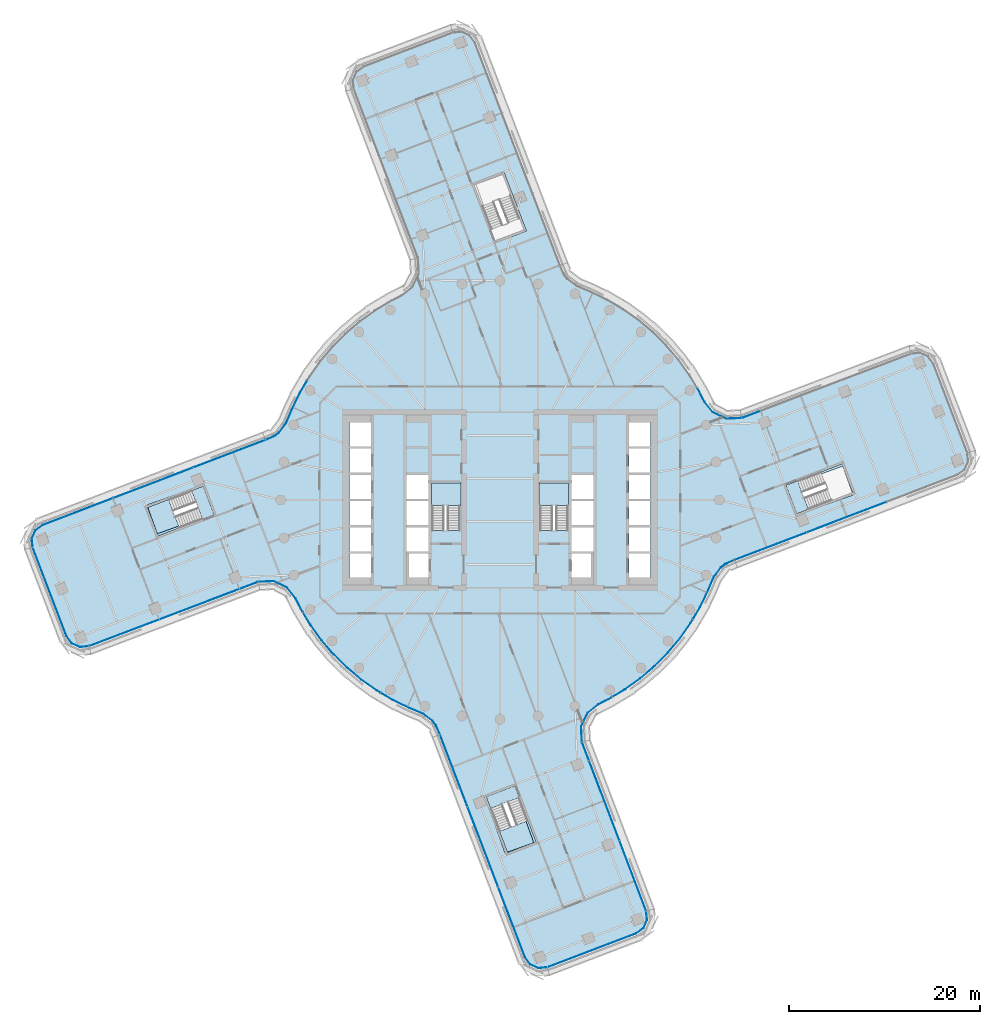
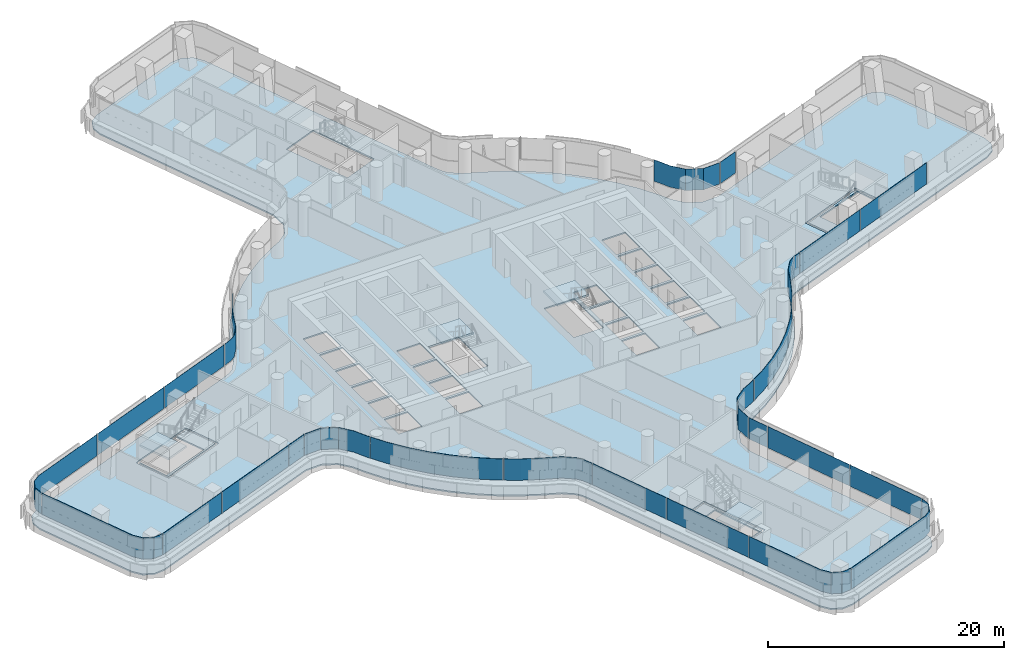
# One storey, part 18 of 32: 25 plates, 8 slabs, 16 elements without a shape of their own.
"""IFC4 building model written with IfcOpenShell, lengths in metres."""

from ifc_helpers import new_model, si_unit, direction, frame, origin, place, context, subcontext, project, spatial, polyline, outline, extrude, material, layer, layer_set, type_object, element, aggregate, save


model = new_model("IFC4")

# Units and contexts
model_context = context("Model", 3, precision=1e-05, world=origin(), true_north=direction((0.0, 1.0)))
body_context = subcontext(model_context, "Body", "Model", "MODEL_VIEW")
ifc_project = project(units=[si_unit("LENGTHUNIT", "METRE"), si_unit("AREAUNIT", "SQUARE_METRE"), si_unit("VOLUMEUNIT", "CUBIC_METRE"), si_unit("PLANEANGLEUNIT", "RADIAN"), si_unit("MASSUNIT", "GRAM", prefix="KILO")], contexts=[model_context])

# Site, building, storey
site_placement = place(None, origin())
site = spatial("IfcSite", under=ifc_project, at=site_placement, CompositionType="ELEMENT")
building_placement = place(site_placement, origin())
building = spatial("IfcBuilding", under=site, at=building_placement, Name="Tamarind Cross Interchange Tower", CompositionType="ELEMENT")
storey_placement = place(building_placement, frame((0.0, 0.0, 109.75)))
storey = spatial("IfcBuildingStorey", under=building, at=storey_placement, Name="L26", CompositionType="ELEMENT", Elevation=109.75)

# Slabs
ifc_material_1 = material(Name="Concrete C35", Category="concrete")
ifc_layer_1 = layer(ifc_material_1, 0.139892578125)
ifc_layer_set_1 = layer_set([ifc_layer_1], Name="Concrete C35")
slab_type_1 = type_object("IfcSlabType", Name="Composite slab 140 Concrete C35", PredefinedType="FLOOR", material=ifc_layer_set_1)
slab_1_placement = place(storey_placement, frame((0.0, 0.0, -0.139892578125)))
element("IfcSlab", 1, at=slab_1_placement, inside=storey, type_object=slab_type_1, Name="Floor slab L26", PredefinedType="FLOOR", context=body_context, shape_type="SweptSolid", body=[
    extrude(outline(polyline([(-23.743408203125, 6.881103515625), (-24.6572265625, 6.478271484375), (-48.03173828125, -2.445556640625), (-48.870361328125, -3.052490234375), (-49.293212890625, -3.99755859375), (-49.186767578125, -5.02734375), (-45.6201171875, -14.36962890625), (-45.012939453125, -15.20849609375), (-44.068115234375, -15.631103515625), (-43.0380859375, -15.52490234375), (-25.305419921875, -8.787109375), (-23.74169921875, -8.72021484375), (-22.44873046875, -9.3564453125), (-21.6083984375, -10.397705078125), (-21.054443359375, -11.511474609375), (-20.031982421875, -13.2109375), (-18.87255859375, -14.820068359375), (-17.584228515625, -16.327880859375), (-16.17578125, -17.72412109375), (-14.656982421875, -18.99951171875), (-13.0380859375, -20.14501953125), (-11.329833984375, -21.15283203125), (-9.54443359375, -22.01611328125), (-8.169189453125, -22.592529296875), (-7.202880859375, -23.3212890625), (-6.881103515625, -23.743408203125), (-6.478271484375, -24.6572265625), (2.445556640625, -48.03173828125), (3.052490234375, -48.870361328125), (3.99755859375, -49.293212890625), (5.02734375, -49.186767578125), (14.36962890625, -45.6201171875), (15.20849609375, -45.012939453125), (15.631103515625, -44.068115234375), (15.52490234375, -43.0380859375), (8.787109375, -25.305419921875), (8.72021484375, -23.74169921875), (9.3564453125, -22.44873046875), (10.397705078125, -21.6083984375), (11.511474609375, -21.054443359375), (13.2109375, -20.031982421875), (14.820068359375, -18.87255859375), (16.327880859375, -17.584228515625), (17.72412109375, -16.17578125), (18.99951171875, -14.656982421875), (20.14501953125, -13.0380859375), (21.15283203125, -11.329833984375), (22.01611328125, -9.54443359375), (22.592529296875, -8.169189453125), (23.3212890625, -7.202880859375), (23.743408203125, -6.881103515625), (24.6572265625, -6.478271484375), (48.03173828125, 2.445556640625), (48.870361328125, 3.052490234375), (49.293212890625, 3.99755859375), (49.186767578125, 5.02734375), (45.6201171875, 14.36962890625), (45.012939453125, 15.20849609375), (44.068115234375, 15.631103515625), (43.0380859375, 15.52490234375), (25.305419921875, 8.787109375), (23.74169921875, 8.72021484375), (22.44873046875, 9.3564453125), (21.6083984375, 10.397705078125), (21.054443359375, 11.511474609375), (20.031982421875, 13.2109375), (18.87255859375, 14.820068359375), (17.584228515625, 16.327880859375), (16.17578125, 17.72412109375), (14.656982421875, 18.99951171875), (13.0380859375, 20.14501953125), (11.329833984375, 21.15283203125), (9.54443359375, 22.01611328125), (8.169189453125, 22.592529296875), (7.202880859375, 23.3212890625), (6.881103515625, 23.743408203125), (6.478271484375, 24.6572265625), (-2.445556640625, 48.03173828125), (-3.052490234375, 48.870361328125), (-3.99755859375, 49.293212890625), (-5.02734375, 49.186767578125), (-14.36962890625, 45.6201171875), (-15.20849609375, 45.012939453125), (-15.631103515625, 44.068115234375), (-15.52490234375, 43.0380859375), (-8.787109375, 25.305419921875), (-8.72021484375, 23.74169921875), (-9.3564453125, 22.44873046875), (-10.397705078125, 21.6083984375), (-11.511474609375, 21.054443359375), (-13.2109375, 20.031982421875), (-14.820068359375, 18.87255859375), (-16.327880859375, 17.584228515625), (-17.72412109375, 16.17578125), (-18.99951171875, 14.656982421875), (-20.14501953125, 13.0380859375), (-21.15283203125, 11.329833984375), (-22.01611328125, 9.54443359375), (-22.592529296875, 8.169189453125), (-23.3212890625, 7.202880859375), (-23.743408203125, 6.881103515625)]), holes=[polyline([(-13.5, -8.125), (-15.800048828125, -8.125), (-15.800048828125, -5.625), (-13.5, -5.625), (-13.5, -8.125)]), polyline([(-7.5, -8.125), (-9.800048828125, -8.125), (-9.800048828125, -5.625), (-7.5, -5.625), (-7.5, -8.125)]), polyline([(-13.5, -5.375), (-15.800048828125, -5.375), (-15.800048828125, -2.875), (-13.5, -2.875), (-13.5, -5.375)]), polyline([(-29.715087890625, -1.660888671875), (-35.974365234375, -4.05078125), (-36.045654296875, -3.86376953125), (-37.18701171875, -0.874267578125), (-37.25830078125, -0.6875), (-36.991943359375, -0.585693359375), (-37.01220703125, -0.529296875), (-33.918212890625, 0.587890625), (-30.9990234375, 1.702392578125), (-30.927734375, 1.515380859375), (-29.786376953125, -1.47412109375), (-29.715087890625, -1.660888671875)]), polyline([(-13.5, -2.625), (-15.800048828125, -2.625), (-15.800048828125, -0.125), (-13.5, -0.125), (-13.5, -2.625)]), polyline([(-7.5, -2.625), (-9.800048828125, -2.625), (-9.800048828125, -0.125), (-7.5, -0.125), (-7.5, -2.625)]), polyline([(-13.5, 0.125), (-15.800048828125, 0.125), (-15.800048828125, 2.625), (-13.5, 2.625), (-13.5, 0.125)]), polyline([(-7.5, 0.125), (-9.800048828125, 0.125), (-9.800048828125, 2.625), (-7.5, 2.625), (-7.5, 0.125)]), polyline([(-13.5, 2.875), (-15.800048828125, 2.875), (-15.800048828125, 5.375), (-13.5, 5.375), (-13.5, 2.875)]), polyline([(-15.800048828125, 5.625), (-15.800048828125, 8.125), (-13.5, 8.125), (-13.5, 5.625), (-15.800048828125, 5.625)]), polyline([(-1.702392578125, -30.9990234375), (-1.515380859375, -30.927734375), (1.47412109375, -29.786376953125), (1.660888671875, -29.715087890625), (4.05078125, -35.974365234375), (3.86376953125, -36.045654296875), (0.874267578125, -37.18701171875), (0.6875, -37.25830078125), (0.585693359375, -36.991943359375), (0.529296875, -37.01220703125), (-0.587890625, -33.918212890625), (-1.702392578125, -30.9990234375)]), polyline([(-9.800048828125, -5.375), (-9.800048828125, -2.875), (-7.5, -2.875), (-7.5, -5.375), (-9.800048828125, -5.375)]), polyline([(-4.199951171875, -3.18798828125), (-7.14990234375, -3.18798828125), (-7.14990234375, 1.800048828125), (-4.199951171875, 1.800048828125), (-4.199951171875, -3.18798828125)]), polyline([(7.14990234375, 1.800048828125), (7.14990234375, -3.18798828125), (4.199951171875, -3.18798828125), (4.199951171875, 1.800048828125), (7.14990234375, 1.800048828125)]), polyline([(7.5, 2.625), (9.800048828125, 2.625), (9.800048828125, 0.125), (7.5, 0.125), (7.5, 2.625)]), polyline([(-2.980712890625, 33.171630859375), (-2.793701171875, 33.242919921875), (0.19580078125, 34.38427734375), (0.382568359375, 34.455810546875), (0.484619140625, 34.188720703125), (0.489501953125, 34.190673828125), (0.587890625, 33.918212890625), (2.772216796875, 28.1962890625), (2.58544921875, 28.125), (-0.404052734375, 26.983642578125), (-0.591064453125, 26.912353515625), (-2.980712890625, 33.171630859375)]), polyline([(7.5, -5.625), (9.800048828125, -5.625), (9.800048828125, -8.125), (7.5, -8.125), (7.5, -5.625)]), polyline([(15.800048828125, -5.625), (15.800048828125, -8.125), (13.5, -8.125), (13.5, -5.625), (15.800048828125, -5.625)]), polyline([(9.800048828125, -2.875), (9.800048828125, -5.375), (7.5, -5.375), (7.5, -2.875), (9.800048828125, -2.875)]), polyline([(13.5, -2.875), (15.800048828125, -2.875), (15.800048828125, -5.375), (13.5, -5.375), (13.5, -2.875)]), polyline([(7.5, -0.125), (9.800048828125, -0.125), (9.800048828125, -2.625), (7.5, -2.625), (7.5, -0.125)]), polyline([(13.5, -0.125), (15.800048828125, -0.125), (15.800048828125, -2.625), (13.5, -2.625), (13.5, -0.125)]), polyline([(30.9990234375, -1.702392578125), (30.927734375, -1.515380859375), (29.786376953125, 1.47412109375), (29.715087890625, 1.660888671875), (35.974365234375, 4.05078125), (36.045654296875, 3.86376953125), (37.18701171875, 0.874267578125), (37.25830078125, 0.6875), (36.991943359375, 0.585693359375), (37.01220703125, 0.529296875), (33.918212890625, -0.587890625), (30.9990234375, -1.702392578125)]), polyline([(15.800048828125, 2.625), (15.800048828125, 0.125), (13.5, 0.125), (13.5, 2.625), (15.800048828125, 2.625)]), polyline([(15.800048828125, 5.375), (15.800048828125, 2.875), (13.5, 2.875), (13.5, 5.375), (15.800048828125, 5.375)]), polyline([(15.800048828125, 8.125), (15.800048828125, 5.625), (13.5, 5.625), (13.5, 8.125), (15.800048828125, 8.125)])]), origin(), (0.0, 0.0, 1.0), 0.139892578125),
])
slab_2_placement = place(storey_placement, frame((0.0, 0.0, -0.139892578125)))
element("IfcSlab", 2, at=slab_2_placement, inside=storey, type_object=slab_type_1, Name="Floor slab L26", PredefinedType="FLOOR", context=body_context, shape_type="SweptSolid", body=[
    extrude(outline(polyline([(-37.000244140625, -0.802978515625), (-35.85888671875, -3.79248046875), (-29.97314453125, -1.54541015625), (-31.114501953125, 1.444091796875), (-32.26318359375, 1.005615234375), (-32.340087890625, 0.97607421875), (-31.259521484375, -1.8544921875), (-35.92578125, -3.539306640625), (-36.924072265625, -0.77392578125), (-37.000244140625, -0.802978515625)])), origin(), (0.0, 0.0, 1.0), 0.139892578125),
])
slab_3_placement = place(storey_placement, frame((0.0, 0.0, -0.139892578125)))
element("IfcSlab", 3, at=slab_3_placement, inside=storey, type_object=slab_type_1, Name="Floor slab L26", PredefinedType="FLOOR", context=body_context, shape_type="SweptSolid", body=[
    extrude(outline(polyline([(0.802978515625, -37.000244140625), (3.79248046875, -35.85888671875), (1.54541015625, -29.97314453125), (-1.444091796875, -31.114501953125), (-1.005615234375, -32.26318359375), (-0.97607421875, -32.340087890625), (1.8544921875, -31.259521484375), (3.539306640625, -35.92578125), (0.77392578125, -36.924072265625), (0.802978515625, -37.000244140625)])), origin(), (0.0, 0.0, 1.0), 0.139892578125),
])
slab_4_placement = place(storey_placement, frame((0.0, 0.0, -0.139892578125)))
element("IfcSlab", 4, at=slab_4_placement, inside=storey, type_object=slab_type_1, Name="Floor slab L26", PredefinedType="FLOOR", context=body_context, shape_type="SweptSolid", body=[
    extrude(outline(polyline([(37.000244140625, 0.802978515625), (35.85888671875, 3.79248046875), (29.97314453125, 1.54541015625), (31.114501953125, -1.444091796875), (32.26318359375, -1.005615234375), (32.340087890625, -0.97607421875), (31.259521484375, 1.8544921875), (35.92578125, 3.539306640625), (36.924072265625, 0.77392578125), (37.000244140625, 0.802978515625)])), origin(), (0.0, 0.0, 1.0), 0.139892578125),
])

# Stair, slab
ifc_material_2 = material(Name="Exit stair")
stair_type = type_object("IfcStairType", Name="Exit stair", PredefinedType="HALF_TURN_STAIR", material=ifc_material_2)
stair_1_placement = place(storey_placement, origin())
stair_1 = element("IfcStair", 5, at=stair_1_placement, inside=storey, type_object=stair_type, Name="L26 exit stair ST1", PredefinedType="HALF_TURN_STAIR")
ifc_material_3 = material(Name="Concrete C40", Category="concrete")
ifc_layer_2 = layer(ifc_material_3, 0.199951171875)
ifc_layer_set_2 = layer_set([ifc_layer_2], Name="Concrete C40")
slab_type_2 = type_object("IfcSlabType", Name="Stair landing", PredefinedType="LANDING", material=ifc_layer_set_2)
slab_5_placement = place(storey_placement, frame((0.0, 0.0, 1.675048828125)))
slab_5 = element("IfcSlab", 6, at=slab_5_placement, type_object=slab_type_2, Name="ST1 landing 1", PredefinedType="LANDING", context=body_context, shape_type="SweptSolid", body=[
    extrude(outline(polyline([(-4.10009765625, -0.60009765625), (-4.10009765625, 1.800048828125), (-7.199951171875, 1.800048828125), (-7.199951171875, -0.60009765625), (-4.10009765625, -0.60009765625)])), origin(), (0.0, 0.0, 1.0), 0.199951171875),
])
aggregate(stair_1, [slab_5])

stair_2_placement = place(storey_placement, origin())
stair_2 = element("IfcStair", 7, at=stair_2_placement, inside=storey, type_object=stair_type, Name="L26 exit stair ST2", PredefinedType="HALF_TURN_STAIR")
slab_6_placement = place(storey_placement, frame((0.0, 0.0, 1.675048828125)))
slab_6 = element("IfcSlab", 8, at=slab_6_placement, type_object=slab_type_2, Name="ST2 landing 1", PredefinedType="LANDING", context=body_context, shape_type="SweptSolid", body=[
    extrude(outline(polyline([(7.199951171875, -0.60009765625), (7.199951171875, 1.800048828125), (4.10009765625, 1.800048828125), (4.10009765625, -0.60009765625), (7.199951171875, -0.60009765625)])), origin(), (0.0, 0.0, 1.0), 0.199951171875),
])
aggregate(stair_2, [slab_6])

stair_3_placement = place(storey_placement, origin())
stair_3 = element("IfcStair", 9, at=stair_3_placement, inside=storey, type_object=stair_type, Name="L26 exit stair ST5", PredefinedType="HALF_TURN_STAIR")
slab_7_placement = place(storey_placement, frame((0.0, 0.0, 1.675048828125)))
slab_7 = element("IfcSlab", 10, at=slab_7_placement, type_object=slab_type_2, Name="ST5 landing 1", PredefinedType="LANDING", context=body_context, shape_type="SweptSolid", body=[
    extrude(outline(polyline([(-34.746826171875, 0.057373046875), (-37.000244140625, -0.802978515625), (-35.85888671875, -3.79248046875), (-33.60546875, -2.93212890625), (-34.746826171875, 0.057373046875)])), origin(), (0.0, 0.0, 1.0), 0.199951171875),
])
aggregate(stair_3, [slab_7])

stair_4_placement = place(storey_placement, origin())
stair_4 = element("IfcStair", 11, at=stair_4_placement, inside=storey, type_object=stair_type, Name="L26 exit stair ST6", PredefinedType="HALF_TURN_STAIR")
slab_8_placement = place(storey_placement, frame((0.0, 0.0, 1.675048828125)))
slab_8 = element("IfcSlab", 12, at=slab_8_placement, type_object=slab_type_2, Name="ST6 landing 1", PredefinedType="LANDING", context=body_context, shape_type="SweptSolid", body=[
    extrude(outline(polyline([(-0.057373046875, -34.746826171875), (0.802978515625, -37.000244140625), (3.79248046875, -35.85888671875), (2.93212890625, -33.60546875), (-0.057373046875, -34.746826171875)])), origin(), (0.0, 0.0, 1.0), 0.199951171875),
])
aggregate(stair_4, [slab_8])

# Curtain wall, plate
ifc_material_4 = material(Name="Aluminium 6063-T6", Category="aluminium")
ifc_layer_3 = layer(ifc_material_4, 0.159912109375)
ifc_layer_set_3 = layer_set([ifc_layer_3], Name="Aluminium 6063-T6")
curtain_wall_type = type_object("IfcCurtainWallType", Name="Office curtain wall, 9.0 m bays", PredefinedType="NOTDEFINED", material=ifc_layer_set_3)
curtain_wall_1_placement = place(storey_placement, origin())
curtain_wall_1 = element("IfcCurtainWall", 13, at=curtain_wall_1_placement, inside=storey, type_object=curtain_wall_type, Name="CWS-L26-00", PredefinedType="NOTDEFINED")
ifc_material_5 = material(Name="Laminated low-e glass 8+1.52+8", Category="glass")
ifc_layer_4 = layer(ifc_material_5, 0.028076171875)
ifc_layer_set_4 = layer_set([ifc_layer_4], Name="Laminated low-e glass 8+1.52+8")
plate_type = type_object("IfcPlateType", Name="Vision panel CW1", PredefinedType="CURTAIN_PANEL", material=ifc_layer_set_4)
plate_1_placement = place(storey_placement, frame((0.0, 0.0, 1.39990234375)))
plate_1 = element("IfcPlate", 14, at=plate_1_placement, type_object=plate_type, Name="CWP-L26-00-00", PredefinedType="CURTAIN_PANEL", context=body_context, shape_type="SweptSolid", body=[
    extrude(outline(polyline([(-48.966796875, -5.003662109375), (-45.43017578125, -14.26708984375), (-44.873291015625, -15.036376953125), (-44.032958984375, -15.412353515625), (-43.115966796875, -15.317626953125), (-43.11328125, -15.345703125), (-44.03759765625, -15.441162109375), (-44.8916015625, -15.05908203125), (-45.455078125, -14.280517578125), (-48.992919921875, -5.013671875), (-48.966796875, -5.003662109375)])), origin(), (0.0, 0.0, 1.0), 2.210205078125),
])
aggregate(curtain_wall_1, [plate_1])

# Curtain wall, plates
curtain_wall_2_placement = place(storey_placement, origin())
curtain_wall_2 = element("IfcCurtainWall", 15, at=curtain_wall_2_placement, inside=storey, type_object=curtain_wall_type, Name="CWS-L26-01", PredefinedType="NOTDEFINED")
plate_2_placement = place(storey_placement, frame((0.0, 0.0, 1.39990234375)))
plate_2 = element("IfcPlate", 16, at=plate_2_placement, type_object=plate_type, Name="CWP-L26-01-00", PredefinedType="CURTAIN_PANEL", context=body_context, shape_type="SweptSolid", body=[
    extrude(outline(polyline([(-43.061767578125, -15.304931640625), (-35.73828125, -12.522216796875), (-35.728271484375, -12.54833984375), (-43.0517578125, -15.3310546875), (-43.061767578125, -15.304931640625)])), origin(), (0.0, 0.0, 1.0), 2.210205078125),
])
plate_3_placement = place(storey_placement, frame((0.0, 0.0, 1.39990234375)))
plate_3 = element("IfcPlate", 17, at=plate_3_placement, type_object=plate_type, Name="CWP-L26-01-01", PredefinedType="CURTAIN_PANEL", context=body_context, shape_type="SweptSolid", body=[
    extrude(outline(polyline([(-35.68212890625, -12.5009765625), (-27.322265625, -9.324462890625), (-27.3125, -9.3505859375), (-35.672119140625, -12.527099609375), (-35.68212890625, -12.5009765625)])), origin(), (0.0, 0.0, 1.0), 2.210205078125),
])
plate_4_placement = place(storey_placement, frame((0.0, 0.0, 1.39990234375)))
plate_4 = element("IfcPlate", 18, at=plate_4_placement, type_object=plate_type, Name="CWP-L26-01-02", PredefinedType="CURTAIN_PANEL", context=body_context, shape_type="SweptSolid", body=[
    extrude(outline(polyline([(-27.266357421875, -9.30322265625), (-25.379150390625, -8.586181640625), (-25.369140625, -8.6123046875), (-27.25634765625, -9.329345703125), (-27.266357421875, -9.30322265625)])), origin(), (0.0, 0.0, 1.0), 2.210205078125),
])
aggregate(curtain_wall_2, [plate_2, plate_3, plate_4])

curtain_wall_3_placement = place(storey_placement, origin())
curtain_wall_3 = element("IfcCurtainWall", 19, at=curtain_wall_3_placement, inside=storey, type_object=curtain_wall_type, Name="CWS-L26-02", PredefinedType="NOTDEFINED")
plate_5_placement = place(storey_placement, frame((0.0, 0.0, 1.39990234375)))
plate_5 = element("IfcPlate", 20, at=plate_5_placement, type_object=plate_type, Name="CWP-L26-02-00", PredefinedType="CURTAIN_PANEL", context=body_context, shape_type="SweptSolid", body=[
    extrude(outline(polyline([(-25.316650390625, -8.5732421875), (-23.696044921875, -8.50390625), (-22.311767578125, -9.185302734375), (-21.42724609375, -10.281494140625), (-20.86669921875, -11.408447265625), (-20.676025390625, -11.7255859375), (-20.699951171875, -11.739990234375), (-20.891357421875, -11.422119140625), (-21.450927734375, -10.296630859375), (-22.32958984375, -9.207763671875), (-23.7021484375, -8.5322265625), (-25.3154296875, -8.601318359375), (-25.316650390625, -8.5732421875)])), origin(), (0.0, 0.0, 1.0), 2.210205078125),
])
plate_6_placement = place(storey_placement, frame((0.0, 0.0, 1.39990234375)))
plate_6 = element("IfcPlate", 21, at=plate_6_placement, type_object=plate_type, Name="CWP-L26-02-01", PredefinedType="CURTAIN_PANEL", context=body_context, shape_type="SweptSolid", body=[
    extrude(outline(polyline([(-20.64501953125, -11.77685546875), (-19.85302734375, -13.093017578125), (-18.7041015625, -14.687744140625), (-17.42724609375, -16.18212890625), (-16.031494140625, -17.56591796875), (-14.526123046875, -18.829833984375), (-12.921630859375, -19.965087890625), (-12.518310546875, -20.203125), (-12.532470703125, -20.227294921875), (-12.936767578125, -19.988525390625), (-14.543212890625, -18.85205078125), (-16.05029296875, -17.586669921875), (-17.44775390625, -16.201171875), (-18.72607421875, -14.705078125), (-19.87646484375, -13.1083984375), (-20.6689453125, -11.791259765625), (-20.64501953125, -11.77685546875)])), origin(), (0.0, 0.0, 1.0), 2.210205078125),
])
plate_7_placement = place(storey_placement, frame((0.0, 0.0, 1.39990234375)))
plate_7 = element("IfcPlate", 22, at=plate_7_placement, type_object=plate_type, Name="CWP-L26-02-02", PredefinedType="CURTAIN_PANEL", context=body_context, shape_type="SweptSolid", body=[
    extrude(outline(polyline([(-12.466552734375, -20.233642578125), (-11.228759765625, -20.9638671875), (-9.456298828125, -21.821044921875), (-8.061767578125, -22.405517578125), (-7.05029296875, -23.168212890625), (-6.695556640625, -23.634033203125), (-6.29248046875, -24.548095703125), (-6.318115234375, -24.559326171875), (-6.7197265625, -23.6484375), (-7.0703125, -23.188232421875), (-8.075927734375, -22.429931640625), (-9.468017578125, -21.846435546875), (-11.241943359375, -20.98876953125), (-12.480712890625, -20.2578125), (-12.466552734375, -20.233642578125)])), origin(), (0.0, 0.0, 1.0), 2.210205078125),
])
aggregate(curtain_wall_3, [plate_5, plate_6, plate_7])

curtain_wall_4_placement = place(storey_placement, origin())
curtain_wall_4 = element("IfcCurtainWall", 23, at=curtain_wall_4_placement, inside=storey, type_object=curtain_wall_type, Name="CWS-L26-03", PredefinedType="NOTDEFINED")
plate_8_placement = place(storey_placement, frame((0.0, 0.0, 1.39990234375)))
plate_8 = element("IfcPlate", 24, at=plate_8_placement, type_object=plate_type, Name="CWP-L26-03-00", PredefinedType="CURTAIN_PANEL", context=body_context, shape_type="SweptSolid", body=[
    extrude(outline(polyline([(-6.26953125, -24.604248046875), (-3.394287109375, -32.13525390625), (-3.42041015625, -32.145263671875), (-6.295654296875, -24.6142578125), (-6.26953125, -24.604248046875)])), origin(), (0.0, 0.0, 1.0), 2.210205078125),
])
plate_9_placement = place(storey_placement, frame((0.0, 0.0, 1.39990234375)))
plate_9 = element("IfcPlate", 25, at=plate_9_placement, type_object=plate_type, Name="CWP-L26-03-01", PredefinedType="CURTAIN_PANEL", context=body_context, shape_type="SweptSolid", body=[
    extrude(outline(polyline([(-3.372802734375, -32.19140625), (-0.18701171875, -40.5361328125), (-0.213134765625, -40.546142578125), (-3.39892578125, -32.201416015625), (-3.372802734375, -32.19140625)])), origin(), (0.0, 0.0, 1.0), 2.210205078125),
])
plate_10_placement = place(storey_placement, frame((0.0, 0.0, 1.39990234375)))
plate_10 = element("IfcPlate", 26, at=plate_10_placement, type_object=plate_type, Name="CWP-L26-03-02", PredefinedType="CURTAIN_PANEL", context=body_context, shape_type="SweptSolid", body=[
    extrude(outline(polyline([(-0.16552734375, -40.59228515625), (2.635498046875, -47.928955078125), (3.1923828125, -48.698486328125), (4.03271484375, -49.074462890625), (4.949462890625, -48.979736328125), (4.952392578125, -49.007568359375), (4.028076171875, -49.10302734375), (3.174072265625, -48.720947265625), (2.610595703125, -47.9423828125), (-0.191650390625, -40.602294921875), (-0.16552734375, -40.59228515625)])), origin(), (0.0, 0.0, 1.0), 2.210205078125),
])
aggregate(curtain_wall_4, [plate_8, plate_9, plate_10])

# Curtain wall, plate
curtain_wall_5_placement = place(storey_placement, origin())
curtain_wall_5 = element("IfcCurtainWall", 27, at=curtain_wall_5_placement, inside=storey, type_object=curtain_wall_type, Name="CWS-L26-04", PredefinedType="NOTDEFINED")
plate_11_placement = place(storey_placement, frame((0.0, 0.0, 1.39990234375)))
plate_11 = element("IfcPlate", 28, at=plate_11_placement, type_object=plate_type, Name="CWP-L26-04-00", PredefinedType="CURTAIN_PANEL", context=body_context, shape_type="SweptSolid", body=[
    extrude(outline(polyline([(5.003662109375, -48.966796875), (14.26708984375, -45.43017578125), (15.036376953125, -44.873291015625), (15.412353515625, -44.032958984375), (15.317626953125, -43.115966796875), (15.345703125, -43.11328125), (15.441162109375, -44.03759765625), (15.05908203125, -44.8916015625), (14.280517578125, -45.455078125), (5.013671875, -48.992919921875), (5.003662109375, -48.966796875)])), origin(), (0.0, 0.0, 1.0), 2.210205078125),
])
aggregate(curtain_wall_5, [plate_11])

# Curtain wall, plates
curtain_wall_6_placement = place(storey_placement, origin())
curtain_wall_6 = element("IfcCurtainWall", 29, at=curtain_wall_6_placement, inside=storey, type_object=curtain_wall_type, Name="CWS-L26-05", PredefinedType="NOTDEFINED")
plate_12_placement = place(storey_placement, frame((0.0, 0.0, 1.39990234375)))
plate_12 = element("IfcPlate", 30, at=plate_12_placement, type_object=plate_type, Name="CWP-L26-05-00", PredefinedType="CURTAIN_PANEL", context=body_context, shape_type="SweptSolid", body=[
    extrude(outline(polyline([(15.304931640625, -43.061767578125), (12.522216796875, -35.73828125), (12.54833984375, -35.728271484375), (15.3310546875, -43.0517578125), (15.304931640625, -43.061767578125)])), origin(), (0.0, 0.0, 1.0), 2.210205078125),
])
plate_13_placement = place(storey_placement, frame((0.0, 0.0, 1.39990234375)))
plate_13 = element("IfcPlate", 31, at=plate_13_placement, type_object=plate_type, Name="CWP-L26-05-01", PredefinedType="CURTAIN_PANEL", context=body_context, shape_type="SweptSolid", body=[
    extrude(outline(polyline([(12.5009765625, -35.68212890625), (9.324462890625, -27.322265625), (9.3505859375, -27.3125), (12.527099609375, -35.672119140625), (12.5009765625, -35.68212890625)])), origin(), (0.0, 0.0, 1.0), 2.210205078125),
])
plate_14_placement = place(storey_placement, frame((0.0, 0.0, 1.39990234375)))
plate_14 = element("IfcPlate", 32, at=plate_14_placement, type_object=plate_type, Name="CWP-L26-05-02", PredefinedType="CURTAIN_PANEL", context=body_context, shape_type="SweptSolid", body=[
    extrude(outline(polyline([(9.30322265625, -27.266357421875), (8.586181640625, -25.379150390625), (8.6123046875, -25.369140625), (9.329345703125, -27.25634765625), (9.30322265625, -27.266357421875)])), origin(), (0.0, 0.0, 1.0), 2.210205078125),
])
aggregate(curtain_wall_6, [plate_12, plate_13, plate_14])

curtain_wall_7_placement = place(storey_placement, origin())
curtain_wall_7 = element("IfcCurtainWall", 33, at=curtain_wall_7_placement, inside=storey, type_object=curtain_wall_type, Name="CWS-L26-06", PredefinedType="NOTDEFINED")
plate_15_placement = place(storey_placement, frame((0.0, 0.0, 1.39990234375)))
plate_15 = element("IfcPlate", 34, at=plate_15_placement, type_object=plate_type, Name="CWP-L26-06-00", PredefinedType="CURTAIN_PANEL", context=body_context, shape_type="SweptSolid", body=[
    extrude(outline(polyline([(8.5732421875, -25.316650390625), (8.50390625, -23.696044921875), (9.185302734375, -22.311767578125), (10.281494140625, -21.42724609375), (11.408447265625, -20.86669921875), (11.7255859375, -20.676025390625), (11.739990234375, -20.699951171875), (11.422119140625, -20.891357421875), (10.296630859375, -21.450927734375), (9.207763671875, -22.32958984375), (8.5322265625, -23.7021484375), (8.601318359375, -25.3154296875), (8.5732421875, -25.316650390625)])), origin(), (0.0, 0.0, 1.0), 2.210205078125),
])
plate_16_placement = place(storey_placement, frame((0.0, 0.0, 1.39990234375)))
plate_16 = element("IfcPlate", 35, at=plate_16_placement, type_object=plate_type, Name="CWP-L26-06-01", PredefinedType="CURTAIN_PANEL", context=body_context, shape_type="SweptSolid", body=[
    extrude(outline(polyline([(11.77685546875, -20.64501953125), (13.093017578125, -19.85302734375), (14.687744140625, -18.7041015625), (16.18212890625, -17.42724609375), (17.56591796875, -16.031494140625), (18.829833984375, -14.526123046875), (19.965087890625, -12.921630859375), (20.203125, -12.518310546875), (20.227294921875, -12.532470703125), (19.988525390625, -12.936767578125), (18.85205078125, -14.543212890625), (17.586669921875, -16.05029296875), (16.201171875, -17.44775390625), (14.705078125, -18.72607421875), (13.1083984375, -19.87646484375), (11.791259765625, -20.6689453125), (11.77685546875, -20.64501953125)])), origin(), (0.0, 0.0, 1.0), 2.210205078125),
])
plate_17_placement = place(storey_placement, frame((0.0, 0.0, 1.39990234375)))
plate_17 = element("IfcPlate", 36, at=plate_17_placement, type_object=plate_type, Name="CWP-L26-06-02", PredefinedType="CURTAIN_PANEL", context=body_context, shape_type="SweptSolid", body=[
    extrude(outline(polyline([(20.233642578125, -12.466552734375), (20.9638671875, -11.228759765625), (21.821044921875, -9.456298828125), (22.405517578125, -8.061767578125), (23.168212890625, -7.05029296875), (23.634033203125, -6.695556640625), (24.548095703125, -6.29248046875), (24.559326171875, -6.318115234375), (23.6484375, -6.7197265625), (23.188232421875, -7.0703125), (22.429931640625, -8.075927734375), (21.846435546875, -9.468017578125), (20.98876953125, -11.241943359375), (20.2578125, -12.480712890625), (20.233642578125, -12.466552734375)])), origin(), (0.0, 0.0, 1.0), 2.210205078125),
])
aggregate(curtain_wall_7, [plate_15, plate_16, plate_17])

curtain_wall_8_placement = place(storey_placement, origin())
curtain_wall_8 = element("IfcCurtainWall", 37, at=curtain_wall_8_placement, inside=storey, type_object=curtain_wall_type, Name="CWS-L26-07", PredefinedType="NOTDEFINED")
plate_18_placement = place(storey_placement, frame((0.0, 0.0, 1.39990234375)))
plate_18 = element("IfcPlate", 38, at=plate_18_placement, type_object=plate_type, Name="CWP-L26-07-00", PredefinedType="CURTAIN_PANEL", context=body_context, shape_type="SweptSolid", body=[
    extrude(outline(polyline([(24.604248046875, -6.26953125), (32.13525390625, -3.394287109375), (32.145263671875, -3.42041015625), (24.6142578125, -6.295654296875), (24.604248046875, -6.26953125)])), origin(), (0.0, 0.0, 1.0), 2.210205078125),
])
plate_19_placement = place(storey_placement, frame((0.0, 0.0, 1.39990234375)))
plate_19 = element("IfcPlate", 39, at=plate_19_placement, type_object=plate_type, Name="CWP-L26-07-01", PredefinedType="CURTAIN_PANEL", context=body_context, shape_type="SweptSolid", body=[
    extrude(outline(polyline([(32.19140625, -3.372802734375), (40.5361328125, -0.18701171875), (40.546142578125, -0.213134765625), (32.201416015625, -3.39892578125), (32.19140625, -3.372802734375)])), origin(), (0.0, 0.0, 1.0), 2.210205078125),
])
aggregate(curtain_wall_8, [plate_18, plate_19])

# Curtain wall, plate
curtain_wall_9_placement = place(storey_placement, origin())
curtain_wall_9 = element("IfcCurtainWall", 40, at=curtain_wall_9_placement, inside=storey, type_object=curtain_wall_type, Name="CWS-L26-09", PredefinedType="NOTDEFINED")
plate_20_placement = place(storey_placement, frame((0.0, 0.0, 1.39990234375)))
plate_20 = element("IfcPlate", 41, at=plate_20_placement, type_object=plate_type, Name="CWP-L26-09-02", PredefinedType="CURTAIN_PANEL", context=body_context, shape_type="SweptSolid", body=[
    extrude(outline(polyline([(27.266357421875, 9.30322265625), (25.379150390625, 8.586181640625), (25.369140625, 8.6123046875), (27.25634765625, 9.329345703125), (27.266357421875, 9.30322265625)])), origin(), (0.0, 0.0, 1.0), 2.210205078125),
])
aggregate(curtain_wall_9, [plate_20])

curtain_wall_10_placement = place(storey_placement, origin())
curtain_wall_10 = element("IfcCurtainWall", 42, at=curtain_wall_10_placement, inside=storey, type_object=curtain_wall_type, Name="CWS-L26-10", PredefinedType="NOTDEFINED")
plate_21_placement = place(storey_placement, frame((0.0, 0.0, 1.39990234375)))
plate_21 = element("IfcPlate", 43, at=plate_21_placement, type_object=plate_type, Name="CWP-L26-10-00", PredefinedType="CURTAIN_PANEL", context=body_context, shape_type="SweptSolid", body=[
    extrude(outline(polyline([(25.316650390625, 8.5732421875), (23.696044921875, 8.50390625), (22.311767578125, 9.185302734375), (21.42724609375, 10.281494140625), (20.86669921875, 11.408447265625), (20.676025390625, 11.7255859375), (20.699951171875, 11.739990234375), (20.891357421875, 11.422119140625), (21.450927734375, 10.296630859375), (22.32958984375, 9.207763671875), (23.7021484375, 8.5322265625), (25.3154296875, 8.601318359375), (25.316650390625, 8.5732421875)])), origin(), (0.0, 0.0, 1.0), 2.210205078125),
])
aggregate(curtain_wall_10, [plate_21])

curtain_wall_11_placement = place(storey_placement, origin())
curtain_wall_11 = element("IfcCurtainWall", 44, at=curtain_wall_11_placement, inside=storey, type_object=curtain_wall_type, Name="CWS-L26-14", PredefinedType="NOTDEFINED")
plate_22_placement = place(storey_placement, frame((0.0, 0.0, 1.39990234375)))
plate_22 = element("IfcPlate", 45, at=plate_22_placement, type_object=plate_type, Name="CWP-L26-14-02", PredefinedType="CURTAIN_PANEL", context=body_context, shape_type="SweptSolid", body=[
    extrude(outline(polyline([(-20.233642578125, 12.466552734375), (-20.9638671875, 11.228759765625), (-21.821044921875, 9.456298828125), (-22.405517578125, 8.061767578125), (-23.168212890625, 7.05029296875), (-23.634033203125, 6.695556640625), (-24.548095703125, 6.29248046875), (-24.559326171875, 6.318115234375), (-23.6484375, 6.7197265625), (-23.188232421875, 7.0703125), (-22.429931640625, 8.075927734375), (-21.846435546875, 9.468017578125), (-20.98876953125, 11.241943359375), (-20.2578125, 12.480712890625), (-20.233642578125, 12.466552734375)])), origin(), (0.0, 0.0, 1.0), 2.210205078125),
])
aggregate(curtain_wall_11, [plate_22])

# Curtain wall, plates
curtain_wall_12_placement = place(storey_placement, origin())
curtain_wall_12 = element("IfcCurtainWall", 46, at=curtain_wall_12_placement, inside=storey, type_object=curtain_wall_type, Name="CWS-L26-15", PredefinedType="NOTDEFINED")
plate_23_placement = place(storey_placement, frame((0.0, 0.0, 1.39990234375)))
plate_23 = element("IfcPlate", 47, at=plate_23_placement, type_object=plate_type, Name="CWP-L26-15-00", PredefinedType="CURTAIN_PANEL", context=body_context, shape_type="SweptSolid", body=[
    extrude(outline(polyline([(-24.604248046875, 6.26953125), (-32.13525390625, 3.394287109375), (-32.145263671875, 3.42041015625), (-24.6142578125, 6.295654296875), (-24.604248046875, 6.26953125)])), origin(), (0.0, 0.0, 1.0), 2.210205078125),
])
plate_24_placement = place(storey_placement, frame((0.0, 0.0, 1.39990234375)))
plate_24 = element("IfcPlate", 48, at=plate_24_placement, type_object=plate_type, Name="CWP-L26-15-01", PredefinedType="CURTAIN_PANEL", context=body_context, shape_type="SweptSolid", body=[
    extrude(outline(polyline([(-32.19140625, 3.372802734375), (-40.5361328125, 0.18701171875), (-40.546142578125, 0.213134765625), (-32.201416015625, 3.39892578125), (-32.19140625, 3.372802734375)])), origin(), (0.0, 0.0, 1.0), 2.210205078125),
])
plate_25_placement = place(storey_placement, frame((0.0, 0.0, 1.39990234375)))
plate_25 = element("IfcPlate", 49, at=plate_25_placement, type_object=plate_type, Name="CWP-L26-15-02", PredefinedType="CURTAIN_PANEL", context=body_context, shape_type="SweptSolid", body=[
    extrude(outline(polyline([(-40.59228515625, 0.16552734375), (-47.928955078125, -2.635498046875), (-48.698486328125, -3.1923828125), (-49.074462890625, -4.03271484375), (-48.979736328125, -4.949462890625), (-49.007568359375, -4.952392578125), (-49.10302734375, -4.028076171875), (-48.720947265625, -3.174072265625), (-47.9423828125, -2.610595703125), (-40.602294921875, 0.191650390625), (-40.59228515625, 0.16552734375)])), origin(), (0.0, 0.0, 1.0), 2.210205078125),
])
aggregate(curtain_wall_12, [plate_23, plate_24, plate_25])

save(model, "model.ifc")
